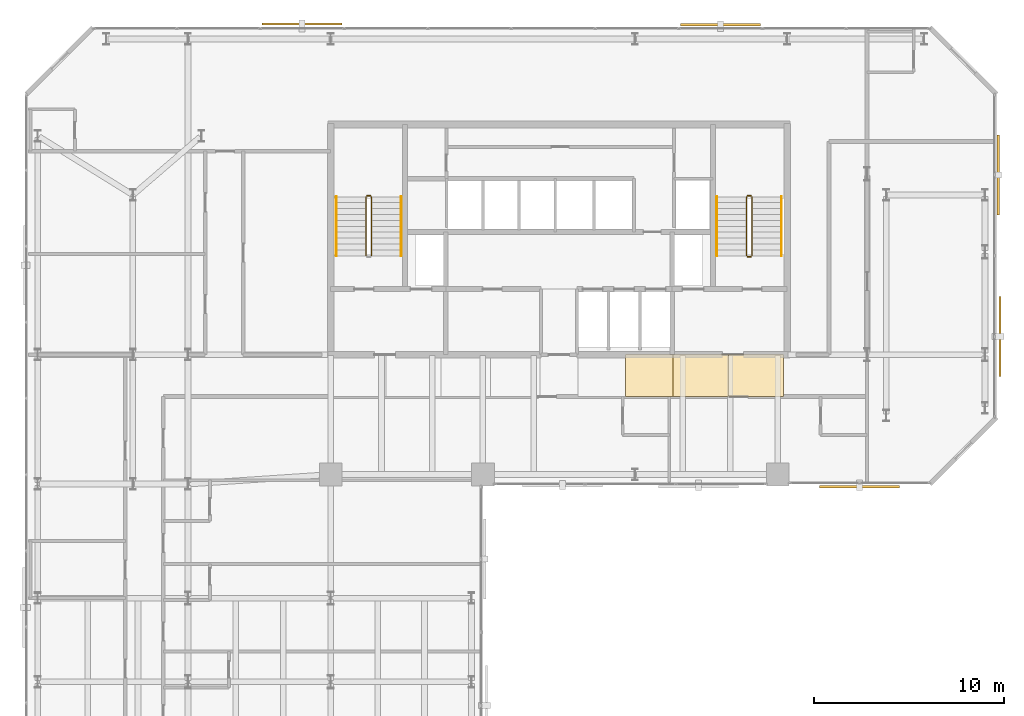
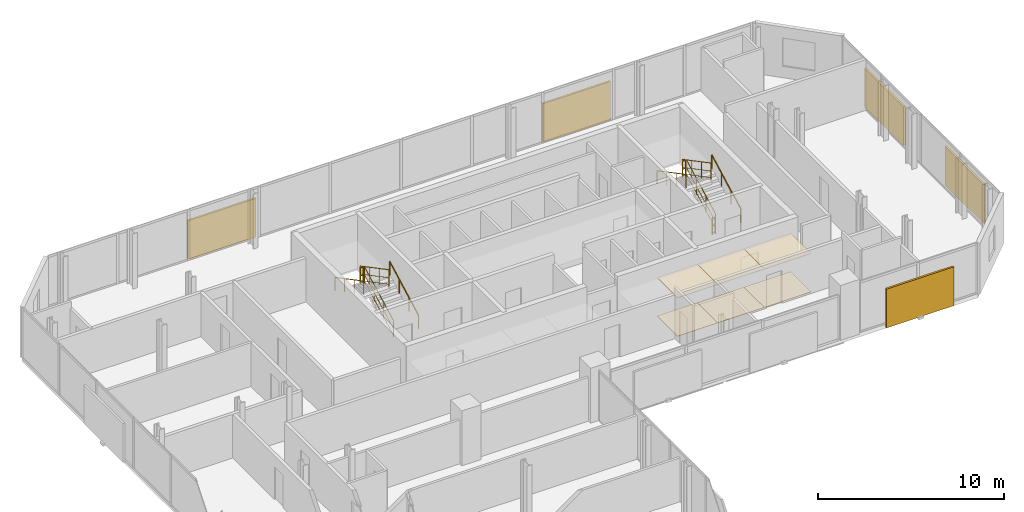
# One storey, part 32 of 32: 11 railings, 6 coverings, 5 shading devices.
"""IFC4 building model written with IfcOpenShell, lengths in metres."""

import ifcopenshell
import ifcopenshell.guid

model = None  # the IFC model being written
_history = None  # IfcOwnerHistory: only IFC2X3 demands one
_inside = {}  # id of a spatial element -> (the spatial element, [elements in it])
_under = {}  # id of a project, library or spatial element -> (it, [spatial elements below it])
_declared = {}  # id of a project -> (the project, [libraries it declares])
_typed = {}  # id of a type object -> (the type object, [elements of that type])
_made_of = {}  # id of a material, layer set ... -> (it, [elements and type objects made of it])


def new_model(schema):
    """Start an empty IFC model of exactly this schema.

    Asked for "IFC4X3", IfcOpenShell would pick the latest addendum, in which some entities
    have other attributes; the version numbers below select the first issue.
    IFC2X3 requires an IfcOwnerHistory on every rooted entity: one is made here for all.
    """
    global model, _history
    if schema == "IFC4X3":
        model = ifcopenshell.file(schema_version=(4, 3, 0, 0))
    else:
        model = ifcopenshell.file(schema=schema)
    _inside.clear()
    _under.clear()
    _declared.clear()
    _typed.clear()
    _made_of.clear()
    _history = None
    if model.schema == "IFC2X3":
        org = make("IfcOrganization", Name="unknown")
        user = make(
            "IfcPersonAndOrganization",
            ThePerson=make("IfcPerson", FamilyName="unknown"),
            TheOrganization=org,
        )
        app = make(
            "IfcApplication",
            ApplicationDeveloper=org,
            Version="unknown",
            ApplicationFullName="unknown",
            ApplicationIdentifier="unknown",
        )
        _history = make(
            "IfcOwnerHistory",
            OwningUser=user,
            OwningApplication=app,
            ChangeAction="ADDED",
            CreationDate=0,
        )
    return model


def make(cls, **values):
    """One entity of the class cls with the attributes given. An attribute that is None is left unset."""
    return model.create_entity(
        cls, **{name: value for name, value in values.items() if value is not None}
    )


def rooted(cls, **values):
    """An entity with a GlobalId (a new one), such as an element, a storey or a relation."""
    return make(cls, GlobalId=ifcopenshell.guid.new(), OwnerHistory=_history, **values)


def si_unit(unit_type, name, prefix=None):
    """IfcSIUnit, for example si_unit("LENGTHUNIT", "METRE", prefix="MILLI")."""
    return make("IfcSIUnit", UnitType=unit_type, Prefix=prefix, Name=name)


def assignment(units):
    """IfcUnitAssignment: the units of a project."""
    return None if units is None else make("IfcUnitAssignment", Units=units)


def point(xyz):
    """IfcCartesianPoint."""
    return None if xyz is None else make("IfcCartesianPoint", Coordinates=xyz)


def direction(xyz):
    """IfcDirection."""
    return None if xyz is None else make("IfcDirection", DirectionRatios=xyz)


def frame(location, z_axis=None, x_axis=None):
    """IfcAxis2Placement3D, a coordinate frame: its origin and axes. An axis left out is left unset."""
    return make(
        "IfcAxis2Placement3D",
        Location=point(location),
        Axis=direction(z_axis),
        RefDirection=direction(x_axis),
    )


def frame_2d(location, x_axis=None):
    """IfcAxis2Placement2D, a coordinate frame in the plane: its origin and x axis."""
    return make(
        "IfcAxis2Placement2D", Location=point(location), RefDirection=direction(x_axis)
    )


def origin():
    """The frame at (0, 0, 0) with its axes left unset."""
    return frame((0.0, 0.0, 0.0))


def origin_2d():
    """The frame at (0, 0) in the plane with its x axis left unset."""
    return frame_2d((0.0, 0.0))


def place(relative_to, where):
    """IfcLocalPlacement: puts the frame where relative to a parent placement (None: the world)."""
    return make(
        "IfcLocalPlacement", PlacementRelTo=relative_to, RelativePlacement=where
    )


def context(
    kind, dimensions, precision=None, world=None, true_north=None, identifier=None
):
    """IfcGeometricRepresentationContext, for example the 3D "Model" context."""
    return make(
        "IfcGeometricRepresentationContext",
        ContextIdentifier=identifier,
        ContextType=kind,
        CoordinateSpaceDimension=dimensions,
        Precision=precision,
        WorldCoordinateSystem=world,
        TrueNorth=true_north,
    )


def subcontext(parent, identifier, kind, view, scale=None):
    """IfcGeometricRepresentationSubContext, for example "Body" below "Model"."""
    return make(
        "IfcGeometricRepresentationSubContext",
        ContextIdentifier=identifier,
        ContextType=kind,
        ParentContext=parent,
        TargetScale=scale,
        TargetView=view,
    )


def project(units=None, contexts=None):
    """IfcProject with its units and contexts."""
    return rooted(
        "IfcProject",
        Name="project",
        RepresentationContexts=contexts,
        UnitsInContext=assignment(units),
    )


def spatial(cls, under=None, at=None, **own):
    """A site, building, storey or space (cls), placed at a placement, below another one or the project."""
    s = rooted(cls, ObjectPlacement=at, **own)
    if under is not None:
        _under.setdefault(under.id(), (under, []))[1].append(s)
    return s


def polyline(points):
    """IfcPolyline through the points."""
    return make("IfcPolyline", Points=[point(p) for p in points])


def profile(cls, at=None, kind="AREA", **sizes):
    """A parametric profile (cls). Its sizes go by their IFC names, for example OverallWidth=200.0."""
    return make(cls, ProfileType=kind, Position=at, **sizes)


def rectangle(**sizes):
    """IfcRectangleProfileDef."""
    return profile("IfcRectangleProfileDef", **sizes)


def circle(**sizes):
    """IfcCircleProfileDef."""
    return profile("IfcCircleProfileDef", **sizes)


def outline(outer, holes=None, kind="AREA"):
    """IfcArbitraryClosedProfileDef: a profile drawn as a closed curve; with holes, ...WithVoids."""
    if holes is None:
        return make("IfcArbitraryClosedProfileDef", ProfileType=kind, OuterCurve=outer)
    return make(
        "IfcArbitraryProfileDefWithVoids",
        ProfileType=kind,
        OuterCurve=outer,
        InnerCurves=holes,
    )


def extrude(swept, where, along, depth):
    """IfcExtrudedAreaSolid: the profile swept, set in the frame where, extruded along a direction by depth."""
    return make(
        "IfcExtrudedAreaSolid",
        SweptArea=swept,
        Position=where,
        ExtrudedDirection=direction(along),
        Depth=depth,
    )


def shape(context_of_items, identifier, shape_type, items):
    """IfcShapeRepresentation: the items that make up one representation, for example the "Body"."""
    return make(
        "IfcShapeRepresentation",
        ContextOfItems=context_of_items,
        RepresentationIdentifier=identifier,
        RepresentationType=shape_type,
        Items=items,
    )


def material(Name=None, Category=None):
    """IfcMaterial."""
    return make("IfcMaterial", Name=Name, Category=Category)


def layer(
    of_material, thickness, ventilated=None, Name=None, Category=None, Priority=None
):
    """IfcMaterialLayer: one layer of a wall or slab, of a material (None: an air gap)."""
    return make(
        "IfcMaterialLayer",
        Material=of_material,
        LayerThickness=thickness,
        IsVentilated=ventilated,
        Name=Name,
        Category=Category,
        Priority=Priority,
    )


def layer_set(layers, Name=None):
    """IfcMaterialLayerSet."""
    return make("IfcMaterialLayerSet", MaterialLayers=layers, LayerSetName=Name)


def made_of(thing, what):
    """Note that an element or type object is made of a material, layer set ...; save() writes the relation."""
    if what is not None:
        _made_of.setdefault(what.id(), (what, []))[1].append(thing)
    return thing


def type_object(cls, material=None, **own):
    """A type object (cls), such as IfcWallType, which elements share."""
    return made_of(rooted(cls, **own), material)


def element(
    cls,
    number,
    at=None,
    inside=None,
    cuts=None,
    type_object=None,
    material=None,
    context=None,
    identifier="Body",
    shape_type=None,
    held_by="IfcProductDefinitionShape",
    body=None,
    shapes=None,
    **own,
):
    """One element of the class cls, such as IfcWall. Its Tag is "e" and its number.

    at: its placement. inside: the storey or other place that contains it. cuts: it is an
    opening in that element (IfcRelVoidsElement). A single representation is given by context,
    identifier, shape_type and body (its items); several are given by shapes. held_by: the class
    of the entity that holds the representations. save() writes the other relations.
    """
    e = rooted(cls, Tag="e%d" % number, ObjectPlacement=at, **own)
    if body is not None:
        shapes = [shape(context, identifier, shape_type, body)]
    if shapes is not None:
        e.Representation = make(held_by, Representations=shapes)
    if inside is not None:
        _inside.setdefault(inside.id(), (inside, []))[1].append(e)
    if cuts is not None:
        rooted(
            "IfcRelVoidsElement", RelatingBuildingElement=cuts, RelatedOpeningElement=e
        )
    if type_object is not None:
        _typed.setdefault(type_object.id(), (type_object, []))[1].append(e)
    return made_of(e, material)


def aggregate(whole, parts):
    """IfcRelAggregates: a whole, such as a stair, and the parts it consists of."""
    return rooted("IfcRelAggregates", RelatingObject=whole, RelatedObjects=parts)


def save(model, path):
    """Write the relations noted so far, then the file.

    IfcRelAggregates (storeys below a building ...), IfcRelContainedInSpatialStructure (elements
    in a storey), IfcRelDefinesByType, IfcRelAssociatesMaterial and IfcRelDeclares: one each for
    every whole, place, type object, material and project.
    """
    for whole, parts in _under.values():
        aggregate(whole, parts)
    for where, things in _inside.values():
        rooted(
            "IfcRelContainedInSpatialStructure",
            RelatedElements=things,
            RelatingStructure=where,
        )
    for kind, things in _typed.values():
        rooted("IfcRelDefinesByType", RelatedObjects=things, RelatingType=kind)
    for what, things in _made_of.values():
        rooted("IfcRelAssociatesMaterial", RelatedObjects=things, RelatingMaterial=what)
    for by, libraries in _declared.values():
        rooted("IfcRelDeclares", RelatingContext=by, RelatedDefinitions=libraries)
    model.write(path)


model = new_model("IFC4")

# Units and contexts
model_context = context("Model", 3, precision=1e-05, world=origin(), true_north=direction((0.0, 1.0)))
body_context = subcontext(model_context, "Body", "Model", "MODEL_VIEW")
ifc_project = project(units=[si_unit("LENGTHUNIT", "METRE"), si_unit("AREAUNIT", "SQUARE_METRE"), si_unit("VOLUMEUNIT", "CUBIC_METRE"), si_unit("PLANEANGLEUNIT", "RADIAN"), si_unit("MASSUNIT", "GRAM", prefix="KILO")], contexts=[model_context])

# Site, building, storey
site_placement = place(None, origin())
site = spatial("IfcSite", under=ifc_project, at=site_placement, CompositionType="ELEMENT")
building_placement = place(site_placement, origin())
building = spatial("IfcBuilding", under=site, at=building_placement, Name="Catumbela Crestline Tower", CompositionType="ELEMENT")
storey_placement = place(building_placement, frame((0.0, 0.0, 122.4)))
storey = spatial("IfcBuildingStorey", under=building, at=storey_placement, Name="L31", CompositionType="ELEMENT", Elevation=122.4)

# Coverings
ifc_material_1 = material(Name="Mineral-fibre acoustic ceiling")
ifc_layer_1 = layer(ifc_material_1, 0.03, Name="Mineral-fibre acoustic ceiling")
ifc_layer_set_1 = layer_set([ifc_layer_1], Name="Mineral-fibre acoustic ceiling")
covering_type_1 = type_object("IfcCoveringType", Name="CC-AC", PredefinedType="CEILING", material=ifc_layer_set_1)
covering_1_placement = place(storey_placement, frame((0.0, 0.0, 2.52)))
element("IfcCovering", 1, at=covering_1_placement, inside=storey, type_object=covering_type_1, Name="L31 Corridor Acoustic Ceiling Bay 6", PredefinedType="CEILING", context=body_context, shape_type="SweptSolid", body=[
    extrude(outline(polyline([(31.5, 28.6), (34.0, 28.6), (34.0, 30.8), (31.5, 30.8), (31.5, 28.6)])), origin(), (0.0, 0.0, 1.0), 0.03),
])
covering_2_placement = place(storey_placement, frame((0.0, 0.0, 2.52)))
element("IfcCovering", 2, at=covering_2_placement, inside=storey, type_object=covering_type_1, Name="L31 Corridor Acoustic Ceiling Bay 7", PredefinedType="CEILING", context=body_context, shape_type="SweptSolid", body=[
    extrude(outline(polyline([(34.0, 28.6), (36.9, 28.6), (36.9, 30.8), (34.0, 30.8), (34.0, 28.6)])), origin(), (0.0, 0.0, 1.0), 0.03),
])
covering_3_placement = place(storey_placement, frame((0.0, 0.0, 2.52)))
element("IfcCovering", 3, at=covering_3_placement, inside=storey, type_object=covering_type_1, Name="L31 Corridor Acoustic Ceiling Bay 8", PredefinedType="CEILING", context=body_context, shape_type="SweptSolid", body=[
    extrude(outline(polyline([(36.9, 28.6), (39.8, 28.6), (39.8, 30.8), (36.9, 30.8), (36.9, 28.6)])), origin(), (0.0, 0.0, 1.0), 0.03),
])
ifc_material_2 = material(Name="Angolan grey-ochre granite", Category="masonry")
ifc_layer_2 = layer(ifc_material_2, 0.025, Name="Angolan grey-ochre granite")
ifc_layer_set_2 = layer_set([ifc_layer_2], Name="Angolan grey-ochre granite")
covering_type_2 = type_object("IfcCoveringType", Name="CF-GR", PredefinedType="FLOORING", material=ifc_layer_set_2)
covering_4_placement = place(storey_placement, origin())
element("IfcCovering", 4, at=covering_4_placement, inside=storey, type_object=covering_type_2, Name="L31 Corridor Granite Flooring Bay 6", PredefinedType="FLOORING", context=body_context, shape_type="SweptSolid", body=[
    extrude(outline(polyline([(31.5, 28.6), (34.0, 28.6), (34.0, 30.8), (31.5, 30.8), (31.5, 28.6)])), origin(), (0.0, 0.0, 1.0), 0.025),
])
covering_5_placement = place(storey_placement, origin())
element("IfcCovering", 5, at=covering_5_placement, inside=storey, type_object=covering_type_2, Name="L31 Corridor Granite Flooring Bay 7", PredefinedType="FLOORING", context=body_context, shape_type="SweptSolid", body=[
    extrude(outline(polyline([(34.0, 28.6), (36.9, 28.6), (36.9, 30.8), (34.0, 30.8), (34.0, 28.6)])), origin(), (0.0, 0.0, 1.0), 0.025),
])
covering_6_placement = place(storey_placement, origin())
element("IfcCovering", 6, at=covering_6_placement, inside=storey, type_object=covering_type_2, Name="L31 Corridor Granite Flooring Bay 8", PredefinedType="FLOORING", context=body_context, shape_type="SweptSolid", body=[
    extrude(outline(polyline([(36.9, 28.6), (39.8, 28.6), (39.8, 30.8), (36.9, 30.8), (36.9, 28.6)])), origin(), (0.0, 0.0, 1.0), 0.025),
])

# Railings
ifc_material_3 = material(Name="Stainless steel EN 1.4401", Category="steel")
railing_type_1 = type_object("IfcRailingType", Name="RG-1100", PredefinedType="GUARDRAIL", material=ifc_material_3)
railing_1_placement = place(storey_placement, frame((18.14, 36.0, 0.1636)))
element("IfcRailing", 7, at=railing_1_placement, inside=storey, type_object=railing_type_1, Name="L31 ST-01 stair guard 1", PredefinedType="GUARDRAIL", context=body_context, shape_type="SweptSolid", body=[
    extrude(circle(Radius=0.024, at=origin_2d()), frame((0.0, 0.0, 1.076), z_axis=(0.0, 0.884350731049, 0.466823076222), x_axis=(-1.0, 0.0, 0.0)), (0.0, 0.0, 1.0), 3.5054),
    extrude(circle(Radius=0.0156, at=origin_2d()), frame((0.0, 0.0, 0.55), z_axis=(0.0, 0.884350731049, 0.466823076222), x_axis=(-1.0, 0.0, 0.0)), (0.0, 0.0, 1.0), 3.5054),
    extrude(circle(Radius=0.0156, at=origin_2d()), frame((0.0, 0.0, 0.12), z_axis=(0.0, 0.884350731049, 0.466823076222), x_axis=(-1.0, 0.0, 0.0)), (0.0, 0.0, 1.0), 3.5054),
    extrude(circle(Radius=0.021, at=origin_2d()), origin(), (0.0, 0.0, 1.0), 1.052),
    extrude(circle(Radius=0.021, at=origin_2d()), frame((0.0, 1.0333, 0.5455)), (0.0, 0.0, 1.0), 1.052),
    extrude(circle(Radius=0.021, at=origin_2d()), frame((0.0, 2.0667, 1.0909)), (0.0, 0.0, 1.0), 1.052),
    extrude(circle(Radius=0.021, at=origin_2d()), frame((0.0, 3.1, 1.6364)), (0.0, 0.0, 1.0), 1.052),
])
railing_2_placement = place(storey_placement, frame((18.09, 39.15, 1.8)))
element("IfcRailing", 8, at=railing_2_placement, inside=storey, type_object=railing_type_1, Name="L31 ST-01 stair guard 2", PredefinedType="GUARDRAIL", context=body_context, shape_type="SweptSolid", body=[
    extrude(circle(Radius=0.024, at=origin_2d()), frame((0.0, 0.0, 1.076), z_axis=(-1.0, 0.0, 0.0), x_axis=(0.0, -1.0, 0.0)), (0.0, 0.0, 1.0), 0.18),
    extrude(circle(Radius=0.0156, at=origin_2d()), frame((0.0, 0.0, 0.55), z_axis=(-1.0, 0.0, 0.0), x_axis=(0.0, -1.0, 0.0)), (0.0, 0.0, 1.0), 0.18),
    extrude(circle(Radius=0.0156, at=origin_2d()), frame((0.0, 0.0, 0.12), z_axis=(-1.0, 0.0, 0.0), x_axis=(0.0, -1.0, 0.0)), (0.0, 0.0, 1.0), 0.18),
    extrude(circle(Radius=0.021, at=origin_2d()), origin(), (0.0, 0.0, 1.0), 1.052),
    extrude(circle(Radius=0.021, at=origin_2d()), frame((-0.18, 0.0, 0.0)), (0.0, 0.0, 1.0), 1.052),
])
railing_3_placement = place(storey_placement, frame((17.86, 39.1, 1.9636)))
element("IfcRailing", 9, at=railing_3_placement, inside=storey, type_object=railing_type_1, Name="L31 ST-01 stair guard 3", PredefinedType="GUARDRAIL", context=body_context, shape_type="SweptSolid", body=[
    extrude(circle(Radius=0.024, at=origin_2d()), frame((0.0, 0.0, 1.076), z_axis=(0.0, -0.884350731049, 0.466823076222), x_axis=(1.0, 0.0, 0.0)), (0.0, 0.0, 1.0), 3.5054),
    extrude(circle(Radius=0.0156, at=origin_2d()), frame((0.0, 0.0, 0.55), z_axis=(0.0, -0.884350731049, 0.466823076222), x_axis=(1.0, 0.0, 0.0)), (0.0, 0.0, 1.0), 3.5054),
    extrude(circle(Radius=0.0156, at=origin_2d()), frame((0.0, 0.0, 0.12), z_axis=(0.0, -0.884350731049, 0.466823076222), x_axis=(1.0, 0.0, 0.0)), (0.0, 0.0, 1.0), 3.5054),
    extrude(circle(Radius=0.021, at=origin_2d()), origin(), (0.0, 0.0, 1.0), 1.052),
    extrude(circle(Radius=0.021, at=origin_2d()), frame((0.0, -1.0333, 0.5455)), (0.0, 0.0, 1.0), 1.052),
    extrude(circle(Radius=0.021, at=origin_2d()), frame((0.0, -2.0667, 1.0909)), (0.0, 0.0, 1.0), 1.052),
    extrude(circle(Radius=0.021, at=origin_2d()), frame((0.0, -3.1, 1.6364)), (0.0, 0.0, 1.0), 1.052),
])
railing_4_placement = place(storey_placement, frame((38.14, 36.0, 0.1636)))
element("IfcRailing", 10, at=railing_4_placement, inside=storey, type_object=railing_type_1, Name="L31 ST-02 stair guard 1", PredefinedType="GUARDRAIL", context=body_context, shape_type="SweptSolid", body=[
    extrude(circle(Radius=0.024, at=origin_2d()), frame((0.0, 0.0, 1.076), z_axis=(0.0, 0.884350731049, 0.466823076222), x_axis=(-1.0, 0.0, 0.0)), (0.0, 0.0, 1.0), 3.5054),
    extrude(circle(Radius=0.0156, at=origin_2d()), frame((0.0, 0.0, 0.55), z_axis=(0.0, 0.884350731049, 0.466823076222), x_axis=(-1.0, 0.0, 0.0)), (0.0, 0.0, 1.0), 3.5054),
    extrude(circle(Radius=0.0156, at=origin_2d()), frame((0.0, 0.0, 0.12), z_axis=(0.0, 0.884350731049, 0.466823076222), x_axis=(-1.0, 0.0, 0.0)), (0.0, 0.0, 1.0), 3.5054),
    extrude(circle(Radius=0.021, at=origin_2d()), origin(), (0.0, 0.0, 1.0), 1.052),
    extrude(circle(Radius=0.021, at=origin_2d()), frame((0.0, 1.0333, 0.5455)), (0.0, 0.0, 1.0), 1.052),
    extrude(circle(Radius=0.021, at=origin_2d()), frame((0.0, 2.0667, 1.0909)), (0.0, 0.0, 1.0), 1.052),
    extrude(circle(Radius=0.021, at=origin_2d()), frame((0.0, 3.1, 1.6364)), (0.0, 0.0, 1.0), 1.052),
])
railing_5_placement = place(storey_placement, frame((38.09, 39.15, 1.8)))
element("IfcRailing", 11, at=railing_5_placement, inside=storey, type_object=railing_type_1, Name="L31 ST-02 stair guard 2", PredefinedType="GUARDRAIL", context=body_context, shape_type="SweptSolid", body=[
    extrude(circle(Radius=0.024, at=origin_2d()), frame((0.0, 0.0, 1.076), z_axis=(-1.0, 0.0, 0.0), x_axis=(0.0, -1.0, 0.0)), (0.0, 0.0, 1.0), 0.18),
    extrude(circle(Radius=0.0156, at=origin_2d()), frame((0.0, 0.0, 0.55), z_axis=(-1.0, 0.0, 0.0), x_axis=(0.0, -1.0, 0.0)), (0.0, 0.0, 1.0), 0.18),
    extrude(circle(Radius=0.0156, at=origin_2d()), frame((0.0, 0.0, 0.12), z_axis=(-1.0, 0.0, 0.0), x_axis=(0.0, -1.0, 0.0)), (0.0, 0.0, 1.0), 0.18),
    extrude(circle(Radius=0.021, at=origin_2d()), origin(), (0.0, 0.0, 1.0), 1.052),
    extrude(circle(Radius=0.021, at=origin_2d()), frame((-0.18, 0.0, 0.0)), (0.0, 0.0, 1.0), 1.052),
])
railing_6_placement = place(storey_placement, frame((37.86, 39.1, 1.9636)))
element("IfcRailing", 12, at=railing_6_placement, inside=storey, type_object=railing_type_1, Name="L31 ST-02 stair guard 3", PredefinedType="GUARDRAIL", context=body_context, shape_type="SweptSolid", body=[
    extrude(circle(Radius=0.024, at=origin_2d()), frame((0.0, 0.0, 1.076), z_axis=(0.0, -0.884350731049, 0.466823076222), x_axis=(1.0, 0.0, 0.0)), (0.0, 0.0, 1.0), 3.5054),
    extrude(circle(Radius=0.0156, at=origin_2d()), frame((0.0, 0.0, 0.55), z_axis=(0.0, -0.884350731049, 0.466823076222), x_axis=(1.0, 0.0, 0.0)), (0.0, 0.0, 1.0), 3.5054),
    extrude(circle(Radius=0.0156, at=origin_2d()), frame((0.0, 0.0, 0.12), z_axis=(0.0, -0.884350731049, 0.466823076222), x_axis=(1.0, 0.0, 0.0)), (0.0, 0.0, 1.0), 3.5054),
    extrude(circle(Radius=0.021, at=origin_2d()), origin(), (0.0, 0.0, 1.0), 1.052),
    extrude(circle(Radius=0.021, at=origin_2d()), frame((0.0, -1.0333, 0.5455)), (0.0, 0.0, 1.0), 1.052),
    extrude(circle(Radius=0.021, at=origin_2d()), frame((0.0, -2.0667, 1.0909)), (0.0, 0.0, 1.0), 1.052),
    extrude(circle(Radius=0.021, at=origin_2d()), frame((0.0, -3.1, 1.6364)), (0.0, 0.0, 1.0), 1.052),
])
railing_7_placement = place(storey_placement, frame((38.09, 35.95, 0.0)))
element("IfcRailing", 13, at=railing_7_placement, inside=storey, type_object=railing_type_1, Name="L31 ST-02 stair guard 4", PredefinedType="GUARDRAIL", context=body_context, shape_type="SweptSolid", body=[
    extrude(circle(Radius=0.024, at=origin_2d()), frame((0.0, 0.0, 1.076), z_axis=(-1.0, 0.0, 0.0), x_axis=(0.0, -1.0, 0.0)), (0.0, 0.0, 1.0), 0.18),
    extrude(circle(Radius=0.0156, at=origin_2d()), frame((0.0, 0.0, 0.55), z_axis=(-1.0, 0.0, 0.0), x_axis=(0.0, -1.0, 0.0)), (0.0, 0.0, 1.0), 0.18),
    extrude(circle(Radius=0.0156, at=origin_2d()), frame((0.0, 0.0, 0.12), z_axis=(-1.0, 0.0, 0.0), x_axis=(0.0, -1.0, 0.0)), (0.0, 0.0, 1.0), 0.18),
    extrude(circle(Radius=0.021, at=origin_2d()), origin(), (0.0, 0.0, 1.0), 1.052),
    extrude(circle(Radius=0.021, at=origin_2d()), frame((-0.18, 0.0, 0.0)), (0.0, 0.0, 1.0), 1.052),
])
railing_type_2 = type_object("IfcRailingType", Name="RH-0900", PredefinedType="HANDRAIL", material=ifc_material_3)
railing_8_placement = place(storey_placement, frame((19.7, 36.0, 0.1636)))
element("IfcRailing", 14, at=railing_8_placement, inside=storey, type_object=railing_type_2, Name="L31 ST-01 stair handrail 1", PredefinedType="HANDRAIL", context=body_context, shape_type="SweptSolid", body=[
    extrude(circle(Radius=0.024, at=origin_2d()), frame((0.0, 0.0, 0.876), z_axis=(0.0, 0.884350731049, 0.466823076222), x_axis=(-1.0, 0.0, 0.0)), (0.0, 0.0, 1.0), 3.5054),
    extrude(circle(Radius=0.021, at=origin_2d()), origin(), (0.0, 0.0, 1.0), 0.852),
    extrude(circle(Radius=0.021, at=origin_2d()), frame((0.0, 1.0333, 0.5455)), (0.0, 0.0, 1.0), 0.852),
    extrude(circle(Radius=0.021, at=origin_2d()), frame((0.0, 2.0667, 1.0909)), (0.0, 0.0, 1.0), 0.852),
    extrude(circle(Radius=0.021, at=origin_2d()), frame((0.0, 3.1, 1.6364)), (0.0, 0.0, 1.0), 0.852),
])
railing_9_placement = place(storey_placement, frame((16.3, 39.1, 1.9636)))
element("IfcRailing", 15, at=railing_9_placement, inside=storey, type_object=railing_type_2, Name="L31 ST-01 stair handrail 2", PredefinedType="HANDRAIL", context=body_context, shape_type="SweptSolid", body=[
    extrude(circle(Radius=0.024, at=origin_2d()), frame((0.0, 0.0, 0.876), z_axis=(0.0, -0.884350731049, 0.466823076222), x_axis=(1.0, 0.0, 0.0)), (0.0, 0.0, 1.0), 3.5054),
    extrude(circle(Radius=0.021, at=origin_2d()), origin(), (0.0, 0.0, 1.0), 0.852),
    extrude(circle(Radius=0.021, at=origin_2d()), frame((0.0, -1.0333, 0.5455)), (0.0, 0.0, 1.0), 0.852),
    extrude(circle(Radius=0.021, at=origin_2d()), frame((0.0, -2.0667, 1.0909)), (0.0, 0.0, 1.0), 0.852),
    extrude(circle(Radius=0.021, at=origin_2d()), frame((0.0, -3.1, 1.6364)), (0.0, 0.0, 1.0), 0.852),
])
railing_10_placement = place(storey_placement, frame((39.7, 36.0, 0.1636)))
element("IfcRailing", 16, at=railing_10_placement, inside=storey, type_object=railing_type_2, Name="L31 ST-02 stair handrail 1", PredefinedType="HANDRAIL", context=body_context, shape_type="SweptSolid", body=[
    extrude(circle(Radius=0.024, at=origin_2d()), frame((0.0, 0.0, 0.876), z_axis=(0.0, 0.884350731049, 0.466823076222), x_axis=(-1.0, 0.0, 0.0)), (0.0, 0.0, 1.0), 3.5054),
    extrude(circle(Radius=0.021, at=origin_2d()), origin(), (0.0, 0.0, 1.0), 0.852),
    extrude(circle(Radius=0.021, at=origin_2d()), frame((0.0, 1.0333, 0.5455)), (0.0, 0.0, 1.0), 0.852),
    extrude(circle(Radius=0.021, at=origin_2d()), frame((0.0, 2.0667, 1.0909)), (0.0, 0.0, 1.0), 0.852),
    extrude(circle(Radius=0.021, at=origin_2d()), frame((0.0, 3.1, 1.6364)), (0.0, 0.0, 1.0), 0.852),
])
railing_11_placement = place(storey_placement, frame((36.3, 39.1, 1.9636)))
element("IfcRailing", 17, at=railing_11_placement, inside=storey, type_object=railing_type_2, Name="L31 ST-02 stair handrail 2", PredefinedType="HANDRAIL", context=body_context, shape_type="SweptSolid", body=[
    extrude(circle(Radius=0.024, at=origin_2d()), frame((0.0, 0.0, 0.876), z_axis=(0.0, -0.884350731049, 0.466823076222), x_axis=(1.0, 0.0, 0.0)), (0.0, 0.0, 1.0), 3.5054),
    extrude(circle(Radius=0.021, at=origin_2d()), origin(), (0.0, 0.0, 1.0), 0.852),
    extrude(circle(Radius=0.021, at=origin_2d()), frame((0.0, -1.0333, 0.5455)), (0.0, 0.0, 1.0), 0.852),
    extrude(circle(Radius=0.021, at=origin_2d()), frame((0.0, -2.0667, 1.0909)), (0.0, 0.0, 1.0), 0.852),
    extrude(circle(Radius=0.021, at=origin_2d()), frame((0.0, -3.1, 1.6364)), (0.0, 0.0, 1.0), 0.852),
])

# Shading devices
ifc_material_4 = material(Name="Extruded terracotta ceramic", Category="masonry")
shading_device_type_1 = type_object("IfcShadingDeviceType", Name="ST-180", PredefinedType="USERDEFINED", material=ifc_material_4)
shading_device_placement = place(storey_placement, frame((51.099, 40.25, -0.1), z_axis=(0.0, 0.0, 1.0), x_axis=(0.0, 1.0, 0.0)))
element("IfcShadingDevice", 18, at=shading_device_placement, inside=storey, type_object=shading_device_type_1, Name="L31 Perforated Terracotta Solar Screen 336 (180 mm)", ObjectType="SCREEN", PredefinedType="USERDEFINED", context=body_context, shape_type="SweptSolid", body=[
    extrude(rectangle(XDim=4.2, YDim=0.12, at=origin_2d()), origin(), (0.0, 0.0, 1.0), 2.55),
])
shading_device_type_2 = type_object("IfcShadingDeviceType", Name="ST-260", PredefinedType="USERDEFINED", material=ifc_material_4)
for number, where, z_axis, x_axis, name in (
    (19, (43.8, 23.857, -0.1), (0.0, 0.0, 1.0), (1.0, 0.0, 0.0), "L31 Perforated Terracotta Solar Screen 334 (260 mm)"),
    (20, (36.5, 48.143, -0.1), (0.0, 0.0, 1.0), (-1.0, 0.0, 0.0), "L31 Perforated Terracotta Solar Screen 337 (260 mm)"),
):
    element("IfcShadingDevice", number, at=place(storey_placement, frame(where, z_axis=z_axis, x_axis=x_axis)), inside=storey, type_object=shading_device_type_2, Name=name, ObjectType="SCREEN", PredefinedType="USERDEFINED", context=body_context, shape_type="SweptSolid", body=[
        extrude(rectangle(XDim=4.2, YDim=0.12, at=origin_2d()), origin(), (0.0, 0.0, 1.0), 2.55),
    ])
shading_device_type_3 = type_object("IfcShadingDeviceType", Name="ST-340", PredefinedType="USERDEFINED", material=ifc_material_4)
for number, where, z_axis, x_axis, name in (
    (21, (51.187, 31.75, -0.1), (0.0, 0.0, 1.0), (0.0, 1.0, 0.0), "L31 Perforated Terracotta Solar Screen 335 (340 mm)"),
    (22, (14.5, 48.187, -0.1), (0.0, 0.0, 1.0), (-1.0, 0.0, 0.0), "L31 Perforated Terracotta Solar Screen 338 (340 mm)"),
):
    element("IfcShadingDevice", number, at=place(storey_placement, frame(where, z_axis=z_axis, x_axis=x_axis)), inside=storey, type_object=shading_device_type_3, Name=name, ObjectType="SCREEN", PredefinedType="USERDEFINED", context=body_context, shape_type="SweptSolid", body=[
        extrude(rectangle(XDim=4.2, YDim=0.12, at=origin_2d()), origin(), (0.0, 0.0, 1.0), 2.55),
    ])

save(model, "model.ifc")
